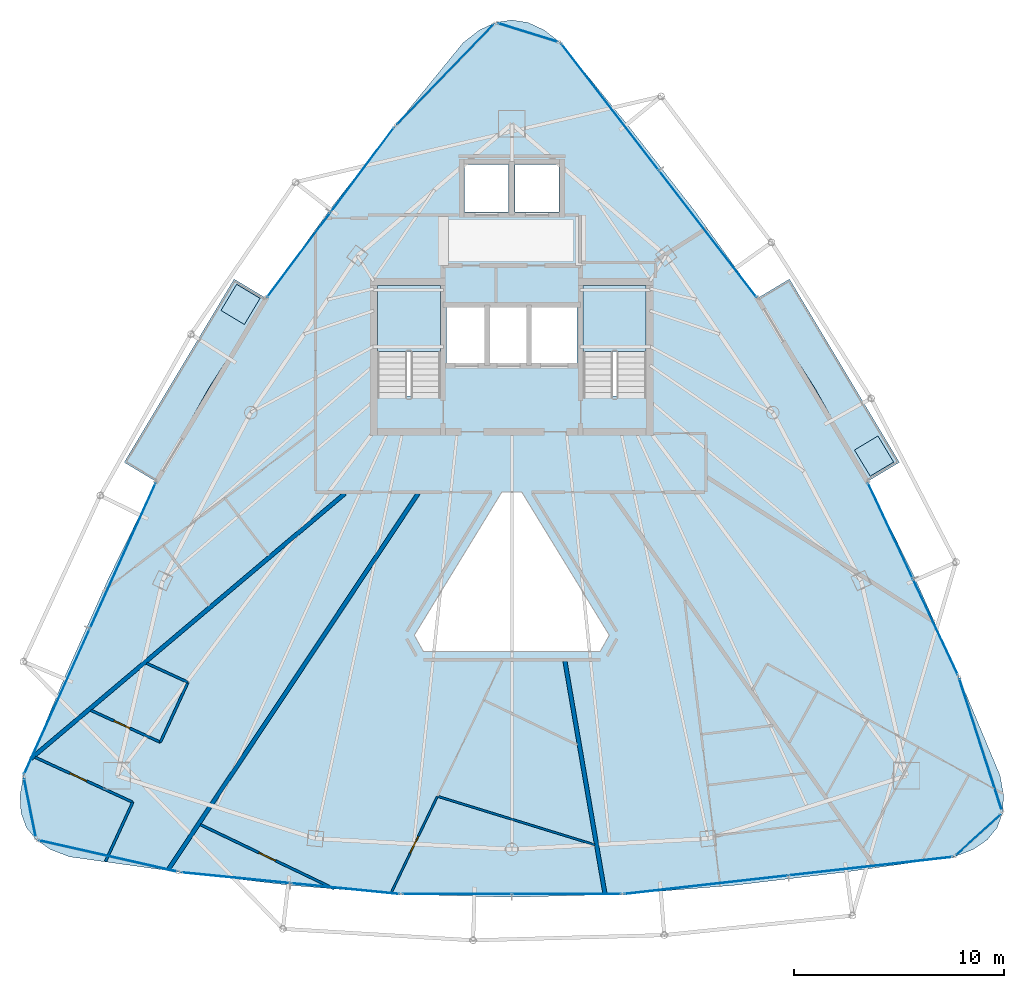
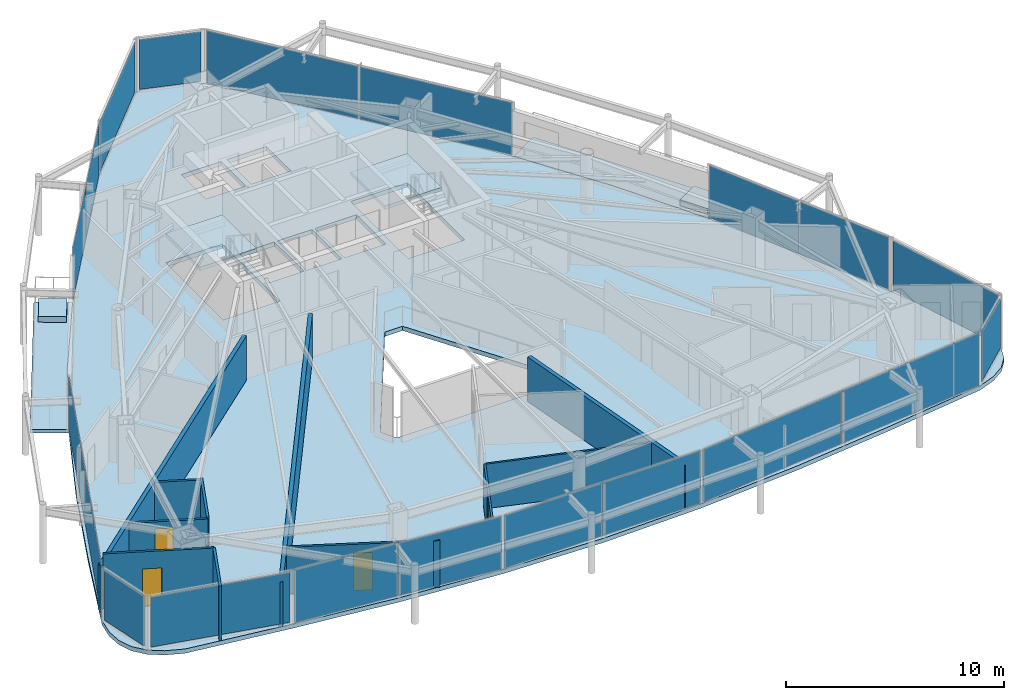
# One storey, part 27 of 33: 20 plates, 11 walls, 7 slabs, 4 doors, 4 openings, 15 elements without a shape of their own.
"""IFC4 building model written with IfcOpenShell, lengths in metres."""

from ifc_helpers import new_model, si_unit, direction, frame, frame_2d, origin, origin_2d, place, context, subcontext, project, spatial, polyline, rectangle, outline, extrude, material, layer, layer_set, type_object, element, fill, aggregate, save


model = new_model("IFC4")

# Units and contexts
model_context = context("Model", 3, precision=1e-05, world=origin(), true_north=direction((0.0, 1.0)))
body_context = subcontext(model_context, "Body", "Model", "MODEL_VIEW")
ifc_project = project(units=[si_unit("LENGTHUNIT", "METRE"), si_unit("AREAUNIT", "SQUARE_METRE"), si_unit("VOLUMEUNIT", "CUBIC_METRE"), si_unit("PLANEANGLEUNIT", "RADIAN"), si_unit("MASSUNIT", "GRAM", prefix="KILO")], contexts=[model_context])

# Site, building, storey
site_placement = place(None, origin())
site = spatial("IfcSite", under=ifc_project, at=site_placement, CompositionType="ELEMENT")
building_placement = place(site_placement, origin())
building = spatial("IfcBuilding", under=site, at=building_placement, Name="Orvanel Arch Residences", CompositionType="ELEMENT")
storey_placement = place(building_placement, frame((0.0, 0.0, 206.300048828125)))
storey = spatial("IfcBuildingStorey", under=building, at=storey_placement, Name="L58", CompositionType="ELEMENT", Elevation=206.300048828125)

# Curtain wall, plates
ifc_material_1 = material(Name="Bronze-anodised aluminium AA6063-T6", Category="aluminium")
ifc_layer_1 = layer(ifc_material_1, 0.175048828125)
ifc_layer_set_1 = layer_set([ifc_layer_1], Name="Bronze-anodised aluminium AA6063-T6")
curtain_wall_type_1 = type_object("IfcCurtainWallType", Name="CW4-HI-SYS", PredefinedType="NOTDEFINED", material=ifc_layer_set_1)
curtain_wall_1_placement = place(storey_placement, origin())
curtain_wall_1 = element("IfcCurtainWall", 1, at=curtain_wall_1_placement, inside=storey, type_object=curtain_wall_type_1, Name="L58 CW4-HI-SYS Unitised Curtain Wall", PredefinedType="NOTDEFINED")
ifc_material_2 = material(Name="Double-glazed solar-control low-E safety glass", Category="glass")
ifc_layer_2 = layer(ifc_material_2, 0.028076171875)
ifc_layer_set_2 = layer_set([ifc_layer_2], Name="Double-glazed solar-control low-E safety glass")
plate_type_1 = type_object("IfcPlateType", Name="PNL-GLZ-28", PredefinedType="CURTAIN_PANEL", material=ifc_layer_set_2)
plate_1_placement = place(storey_placement, frame((25.884033203125, 39.20654296875, 0.06005859375), z_axis=(0.0, 0.0, 1.0), x_axis=(-0.599151723424, -0.800635505282, 0.0)))
plate_1 = element("IfcPlate", 2, at=plate_1_placement, type_object=plate_type_1, Name="CW-S4 panel 1.1", PredefinedType="CURTAIN_PANEL", context=body_context, shape_type="SweptSolid", body=[
    extrude(rectangle(XDim=4.997314453125, YDim=0.028076171875, at=origin_2d()), origin(), (0.0, 0.0, 1.0), 2.93994140625),
])
plate_2_placement = place(storey_placement, frame((22.85107421875, 35.153564453125, 0.06005859375), z_axis=(0.0, 0.0, 1.0), x_axis=(-0.599151723424, -0.800635505282, 0.0)))
plate_2 = element("IfcPlate", 3, at=plate_2_placement, type_object=plate_type_1, Name="CW-S4 panel 2.1", PredefinedType="CURTAIN_PANEL", context=body_context, shape_type="SweptSolid", body=[
    extrude(rectangle(XDim=4.997314453125, YDim=0.028076171875, at=origin_2d()), origin(), (0.0, 0.0, 1.0), 2.93994140625),
])
aggregate(curtain_wall_1, [plate_1, plate_2])

curtain_wall_2_placement = place(storey_placement, origin())
curtain_wall_2 = element("IfcCurtainWall", 4, at=curtain_wall_2_placement, inside=storey, type_object=curtain_wall_type_1, Name="L58 CW4-HI-SYS Unitised Curtain Wall", PredefinedType="NOTDEFINED")
plate_3_placement = place(storey_placement, frame((14.476318359375, 20.833740234375, 0.06005859375), z_axis=(0.0, 0.0, 1.0), x_axis=(-0.411530785971, -0.911395859217, 0.0)))
plate_3 = element("IfcPlate", 5, at=plate_3_placement, type_object=plate_type_1, Name="CW-S4 panel 1.1", PredefinedType="CURTAIN_PANEL", context=body_context, shape_type="SweptSolid", body=[
    extrude(rectangle(XDim=7.566650390625, YDim=0.028076171875, at=origin_2d()), origin(), (0.0, 0.0, 1.0), 2.93994140625),
])
plate_4_placement = place(storey_placement, frame((11.335693359375, 13.87841796875, 0.06005859375), z_axis=(0.0, 0.0, 1.0), x_axis=(-0.411530785971, -0.911395859217, 0.0)))
plate_4 = element("IfcPlate", 6, at=plate_4_placement, type_object=plate_type_1, Name="CW-S4 panel 2.1", PredefinedType="CURTAIN_PANEL", context=body_context, shape_type="SweptSolid", body=[
    extrude(rectangle(XDim=7.566650390625, YDim=0.028076171875, at=origin_2d()), origin(), (0.0, 0.0, 1.0), 2.93994140625),
])
aggregate(curtain_wall_2, [plate_3, plate_4])

curtain_wall_3_placement = place(storey_placement, origin())
curtain_wall_3 = element("IfcCurtainWall", 7, at=curtain_wall_3_placement, inside=storey, type_object=curtain_wall_type_1, Name="L58 CW4-HI-SYS Unitised Curtain Wall", PredefinedType="NOTDEFINED")
plate_5_placement = place(storey_placement, frame((19.858642578125, 5.4873046875, 0.06005859375), z_axis=(0.0, 0.0, 1.0), x_axis=(0.995125054579, -0.098621122229, 0.0)))
plate_5 = element("IfcPlate", 8, at=plate_5_placement, type_object=plate_type_1, Name="CW-S4 panel 1.1", PredefinedType="CURTAIN_PANEL", context=body_context, shape_type="SweptSolid", body=[
    extrude(rectangle(XDim=5.17529296875, YDim=0.028076171875, at=origin_2d()), origin(), (0.0, 0.0, 1.0), 2.93994140625),
])
plate_6_placement = place(storey_placement, frame((25.0732421875, 4.970703125, 0.06005859375), z_axis=(0.0, 0.0, 1.0), x_axis=(0.995125054579, -0.098621122229, 0.0)))
plate_6 = element("IfcPlate", 9, at=plate_6_placement, type_object=plate_type_1, Name="CW-S4 panel 2.1", PredefinedType="CURTAIN_PANEL", context=body_context, shape_type="SweptSolid", body=[
    extrude(rectangle(XDim=5.17529296875, YDim=0.028076171875, at=origin_2d()), origin(), (0.0, 0.0, 1.0), 2.93994140625),
])
aggregate(curtain_wall_3, [plate_5, plate_6])

curtain_wall_4_placement = place(storey_placement, origin())
curtain_wall_4 = element("IfcCurtainWall", 10, at=curtain_wall_4_placement, inside=storey, type_object=curtain_wall_type_1, Name="L58 CW4-HI-SYS Unitised Curtain Wall", PredefinedType="NOTDEFINED")
plate_7_placement = place(storey_placement, frame((30.392822265625, 4.70703125, 0.06005859375), z_axis=(0.0, 0.0, 1.0), x_axis=(1.0, 0.0, 0.0)))
plate_7 = element("IfcPlate", 11, at=plate_7_placement, type_object=plate_type_1, Name="CW-S4 panel 1.1", PredefinedType="CURTAIN_PANEL", context=body_context, shape_type="SweptSolid", body=[
    extrude(rectangle(XDim=5.1494140625, YDim=0.028076171875, at=origin_2d()), origin(), (0.0, 0.0, 1.0), 2.93994140625),
])
plate_8_placement = place(storey_placement, frame((35.607177734375, 4.70703125, 0.06005859375), z_axis=(0.0, 0.0, 1.0), x_axis=(1.0, 0.0, 0.0)))
plate_8 = element("IfcPlate", 12, at=plate_8_placement, type_object=plate_type_1, Name="CW-S4 panel 2.1", PredefinedType="CURTAIN_PANEL", context=body_context, shape_type="SweptSolid", body=[
    extrude(rectangle(XDim=5.1494140625, YDim=0.028076171875, at=origin_2d()), origin(), (0.0, 0.0, 1.0), 2.93994140625),
])
aggregate(curtain_wall_4, [plate_7, plate_8])

curtain_wall_5_placement = place(storey_placement, origin())
curtain_wall_5 = element("IfcCurtainWall", 13, at=curtain_wall_5_placement, inside=storey, type_object=curtain_wall_type_1, Name="L58 CW4-HI-SYS Unitised Curtain Wall", PredefinedType="NOTDEFINED")
plate_9_placement = place(storey_placement, frame((42.243408203125, 5.155029296875, 0.06005859375), z_axis=(0.0, 0.0, 1.0), x_axis=(0.993704057528, 0.11203680669, 0.0)))
plate_9 = element("IfcPlate", 14, at=plate_9_placement, type_object=plate_type_1, Name="CW-S4 panel 1.1", PredefinedType="CURTAIN_PANEL", context=body_context, shape_type="SweptSolid", body=[
    extrude(rectangle(XDim=7.8330078125, YDim=0.028076171875, at=origin_2d()), origin(), (0.0, 0.0, 1.0), 2.93994140625),
])
plate_10_placement = place(storey_placement, frame((50.091552734375, 6.0400390625, 0.06005859375), z_axis=(0.0, 0.0, 1.0), x_axis=(0.993704057528, 0.11203680669, 0.0)))
plate_10 = element("IfcPlate", 15, at=plate_10_placement, type_object=plate_type_1, Name="CW-S4 panel 2.1", PredefinedType="CURTAIN_PANEL", context=body_context, shape_type="SweptSolid", body=[
    extrude(rectangle(XDim=7.8330078125, YDim=0.028076171875, at=origin_2d()), origin(), (0.0, 0.0, 1.0), 2.93994140625),
])
aggregate(curtain_wall_5, [plate_9, plate_10])

curtain_wall_6_placement = place(storey_placement, origin())
curtain_wall_6 = element("IfcCurtainWall", 16, at=curtain_wall_6_placement, inside=storey, type_object=curtain_wall_type_1, Name="L58 CW4-HI-SYS Unitised Curtain Wall", PredefinedType="NOTDEFINED")
plate_11_placement = place(storey_placement, frame((53.176025390625, 17.435546875, 0.06005859375), z_axis=(0.0, 0.0, 1.0), x_axis=(-0.424340844978, 0.905502538529, 0.0)))
plate_11 = element("IfcPlate", 17, at=plate_11_placement, type_object=plate_type_1, Name="CW-S4 panel 1.1", PredefinedType="CURTAIN_PANEL", context=body_context, shape_type="SweptSolid", body=[
    extrude(rectangle(XDim=4.99755859375, YDim=0.028076171875, at=origin_2d()), origin(), (0.0, 0.0, 1.0), 2.93994140625),
])
plate_12_placement = place(storey_placement, frame((51.02783203125, 22.01953125, 0.06005859375), z_axis=(0.0, 0.0, 1.0), x_axis=(-0.424340844978, 0.905502538529, 0.0)))
plate_12 = element("IfcPlate", 18, at=plate_12_placement, type_object=plate_type_1, Name="CW-S4 panel 2.1", PredefinedType="CURTAIN_PANEL", context=body_context, shape_type="SweptSolid", body=[
    extrude(rectangle(XDim=4.99755859375, YDim=0.028076171875, at=origin_2d()), origin(), (0.0, 0.0, 1.0), 2.93994140625),
])
aggregate(curtain_wall_6, [plate_11, plate_12])

curtain_wall_7_placement = place(storey_placement, origin())
curtain_wall_7 = element("IfcCurtainWall", 19, at=curtain_wall_7_placement, inside=storey, type_object=curtain_wall_type_1, Name="L58 CW4-HI-SYS Unitised Curtain Wall", PredefinedType="NOTDEFINED")
plate_13_placement = place(storey_placement, frame((42.33642578125, 36.1494140625, 0.06005859375), z_axis=(0.0, 0.0, 1.0), x_axis=(-0.61032539084, 0.792150817266, 0.0)))
plate_13 = element("IfcPlate", 20, at=plate_13_placement, type_object=plate_type_1, Name="CW-S4 panel 1.1", PredefinedType="CURTAIN_PANEL", context=body_context, shape_type="SweptSolid", body=[
    extrude(rectangle(XDim=7.56640625, YDim=0.028076171875, at=origin_2d()), origin(), (0.0, 0.0, 1.0), 2.93994140625),
])
plate_14_placement = place(storey_placement, frame((37.6787109375, 42.194580078125, 0.06005859375), z_axis=(0.0, 0.0, 1.0), x_axis=(-0.61032539084, 0.792150817266, 0.0)))
plate_14 = element("IfcPlate", 21, at=plate_14_placement, type_object=plate_type_1, Name="CW-S4 panel 2.1", PredefinedType="CURTAIN_PANEL", context=body_context, shape_type="SweptSolid", body=[
    extrude(rectangle(XDim=7.56640625, YDim=0.028076171875, at=origin_2d()), origin(), (0.0, 0.0, 1.0), 2.93994140625),
])
aggregate(curtain_wall_7, [plate_13, plate_14])

# Curtain wall, plate
ifc_layer_3 = layer(ifc_material_1, 0.18994140625)
ifc_layer_set_3 = layer_set([ifc_layer_3], Name="Bronze-anodised aluminium AA6063-T6")
curtain_wall_type_2 = type_object("IfcCurtainWallType", Name="CW5-CRN-SYS", PredefinedType="NOTDEFINED", material=ifc_layer_set_3)
curtain_wall_8_placement = place(storey_placement, origin())
curtain_wall_8 = element("IfcCurtainWall", 22, at=curtain_wall_8_placement, inside=storey, type_object=curtain_wall_type_2, Name="L58 CW5-CRN-SYS Unitised Curtain Wall", PredefinedType="NOTDEFINED")
ifc_layer_4 = layer(ifc_material_2, 0.031982421875)
ifc_layer_set_4 = layer_set([ifc_layer_4], Name="Double-glazed solar-control low-E safety glass")
plate_type_2 = type_object("IfcPlateType", Name="PNL-GLZ-32", PredefinedType="CURTAIN_PANEL", material=ifc_layer_set_4)
plate_15_placement = place(storey_placement, frame((33.7724609375, 45.739990234375, 0.1298828125), z_axis=(0.0, 0.0, 1.0), x_axis=(-0.954841003461, 0.297117246401, 0.0)))
plate_15 = element("IfcPlate", 23, at=plate_15_placement, type_object=plate_type_2, Name="CW-S5 panel 1.1", PredefinedType="CURTAIN_PANEL", context=body_context, shape_type="SweptSolid", body=[
    extrude(rectangle(XDim=2.8974609375, YDim=0.031982421875, at=origin_2d()), origin(), (0.0, 0.0, 1.0), 2.800048828125),
])
aggregate(curtain_wall_8, [plate_15])

curtain_wall_9_placement = place(storey_placement, origin())
curtain_wall_9 = element("IfcCurtainWall", 24, at=curtain_wall_9_placement, inside=storey, type_object=curtain_wall_type_2, Name="L58 CW5-CRN-SYS Unitised Curtain Wall", PredefinedType="NOTDEFINED")
plate_16_placement = place(storey_placement, frame((29.82958984375, 43.748046875, 0.1298828125), z_axis=(0.0, 0.0, 1.0), x_axis=(-0.695997606834, -0.718044101209, 0.0)))
plate_16 = element("IfcPlate", 25, at=plate_16_placement, type_object=plate_type_2, Name="CW-S5 panel 1.1", PredefinedType="CURTAIN_PANEL", context=body_context, shape_type="SweptSolid", body=[
    extrude(rectangle(XDim=6.549072265625, YDim=0.031982421875, at=origin_2d()), origin(), (0.0, 0.0, 1.0), 2.800048828125),
])
aggregate(curtain_wall_9, [plate_16])

curtain_wall_10_placement = place(storey_placement, origin())
curtain_wall_10 = element("IfcCurtainWall", 26, at=curtain_wall_10_placement, inside=storey, type_object=curtain_wall_type_2, Name="L58 CW5-CRN-SYS Unitised Curtain Wall", PredefinedType="NOTDEFINED")
plate_17_placement = place(storey_placement, frame((10.048583984375, 8.824462890625, 0.1298828125), z_axis=(0.0, 0.0, 1.0), x_axis=(0.195365920622, -0.980730420176, 0.0)))
plate_17 = element("IfcPlate", 27, at=plate_17_placement, type_object=plate_type_2, Name="CW-S5 panel 1.1", PredefinedType="CURTAIN_PANEL", context=body_context, shape_type="SweptSolid", body=[
    extrude(rectangle(XDim=2.7763671875, YDim=0.031982421875, at=origin_2d()), origin(), (0.0, 0.0, 1.0), 2.800048828125),
])
aggregate(curtain_wall_10, [plate_17])

curtain_wall_11_placement = place(storey_placement, origin())
curtain_wall_11 = element("IfcCurtainWall", 28, at=curtain_wall_11_placement, inside=storey, type_object=curtain_wall_type_2, Name="L58 CW5-CRN-SYS Unitised Curtain Wall", PredefinedType="NOTDEFINED")
plate_18_placement = place(storey_placement, frame((13.77587890625, 6.5234375, 0.1298828125), z_axis=(0.0, 0.0, 1.0), x_axis=(0.975436035284, -0.220282866037, 0.0)))
plate_18 = element("IfcPlate", 29, at=plate_18_placement, type_object=plate_type_2, Name="CW-S5 panel 1.1", PredefinedType="CURTAIN_PANEL", context=body_context, shape_type="SweptSolid", body=[
    extrude(rectangle(XDim=6.677490234375, YDim=0.031982421875, at=origin_2d()), origin(), (0.0, 0.0, 1.0), 2.800048828125),
])
aggregate(curtain_wall_11, [plate_18])

curtain_wall_12_placement = place(storey_placement, origin())
curtain_wall_12 = element("IfcCurtainWall", 30, at=curtain_wall_12_placement, inside=storey, type_object=curtain_wall_type_2, Name="L58 CW5-CRN-SYS Unitised Curtain Wall", PredefinedType="NOTDEFINED")
plate_19_placement = place(storey_placement, frame((55.221923828125, 7.535888671875, 0.1298828125), z_axis=(0.0, 0.0, 1.0), x_axis=(0.740087062323, 0.672511070676, 0.0)))
plate_19 = element("IfcPlate", 31, at=plate_19_placement, type_object=plate_type_2, Name="CW-S5 panel 1.1", PredefinedType="CURTAIN_PANEL", context=body_context, shape_type="SweptSolid", body=[
    extrude(rectangle(XDim=2.778076171875, YDim=0.031982421875, at=origin_2d()), origin(), (0.0, 0.0, 1.0), 2.800048828125),
])
aggregate(curtain_wall_12, [plate_19])

curtain_wall_13_placement = place(storey_placement, origin())
curtain_wall_13 = element("IfcCurtainWall", 32, at=curtain_wall_13_placement, inside=storey, type_object=curtain_wall_type_2, Name="L58 CW5-CRN-SYS Unitised Curtain Wall", PredefinedType="NOTDEFINED")
plate_20_placement = place(storey_placement, frame((55.323974609375, 11.840087890625, 0.1298828125), z_axis=(0.0, 0.0, 1.0), x_axis=(-0.307483718239, 0.951553342182, 0.0)))
plate_20 = element("IfcPlate", 33, at=plate_20_placement, type_object=plate_type_2, Name="CW-S5 panel 1.1", PredefinedType="CURTAIN_PANEL", context=body_context, shape_type="SweptSolid", body=[
    extrude(rectangle(XDim=6.503662109375, YDim=0.031982421875, at=origin_2d()), origin(), (0.0, 0.0, 1.0), 2.800048828125),
])
aggregate(curtain_wall_13, [plate_20])

# Slabs
ifc_material_3 = material(Name="Concrete N40 (40 MPa)", Category="concrete")
ifc_layer_5 = layer(ifc_material_3, 0.199951171875)
ifc_layer_set_5 = layer_set([ifc_layer_5], Name="Concrete N40 (40 MPa)")
slab_type_1 = type_object("IfcSlabType", Name="SLB-BAL-200", PredefinedType="FLOOR", material=ifc_layer_set_5)
slab_1_placement = place(storey_placement, frame((0.0, 0.0, -0.199951171875)))
element("IfcSlab", 34, at=slab_1_placement, inside=storey, type_object=slab_type_1, Name="L58 Cantilevered Balcony Slab Face 3", PredefinedType="FLOOR", context=body_context, shape_type="SweptSolid", body=[
    extrude(outline(polyline([(51.4580078125, 25.27392578125), (46.22412109375, 34.0009765625), (44.697021484375, 33.0849609375), (47.43994140625, 28.797119140625), (49.931884765625, 24.35888671875), (51.4580078125, 25.27392578125)])), origin(), (0.0, 0.0, 1.0), 0.199951171875),
])
slab_2_placement = place(storey_placement, frame((0.0, 0.0, -0.199951171875)))
element("IfcSlab", 35, at=slab_2_placement, inside=storey, type_object=slab_type_1, Name="L58 Cantilevered Balcony Slab Face 1", PredefinedType="FLOOR", context=body_context, shape_type="SweptSolid", body=[
    extrude(outline(polyline([(19.77587890625, 34.0009765625), (14.5419921875, 25.27392578125), (16.068115234375, 24.35888671875), (18.56005859375, 28.797119140625), (21.302978515625, 33.0849609375), (19.77587890625, 34.0009765625)])), origin(), (0.0, 0.0, 1.0), 0.199951171875),
])

# Stair, slab
ifc_material_4 = material(Name="Precast concrete N50 (50 MPa)", Category="concrete")
stair_type = type_object("IfcStairType", Name="STR-DOG-184", PredefinedType="USERDEFINED", material=ifc_material_4)
stair_1_placement = place(storey_placement, origin())
stair_1 = element("IfcStair", 36, at=stair_1_placement, inside=storey, type_object=stair_type, Name="L58 Fire-Isolated Core Exit Stair 1", ObjectType="TWO_RETURN_STAIR", PredefinedType="USERDEFINED")
ifc_layer_6 = layer(ifc_material_3, 0.199951171875)
ifc_layer_set_6 = layer_set([ifc_layer_6], Name="Concrete N40 (40 MPa)")
slab_type_2 = type_object("IfcSlabType", Name="SLB-LND-200", PredefinedType="LANDING", material=ifc_layer_set_6)
slab_3_placement = place(storey_placement, frame((0.0, 0.0, 1.449951171875)))
slab_3 = element("IfcSlab", 37, at=slab_3_placement, type_object=slab_type_2, Name="ST-1 landing 1", PredefinedType="LANDING", context=body_context, shape_type="SweptSolid", body=[
    extrude(outline(polyline([(29.60009765625, 30.56005859375), (29.60009765625, 33.699951171875), (26.60009765625, 33.699951171875), (26.60009765625, 30.56005859375), (29.60009765625, 30.56005859375)])), origin(), (0.0, 0.0, 1.0), 0.199951171875),
])
aggregate(stair_1, [slab_3])

stair_2_placement = place(storey_placement, origin())
stair_2 = element("IfcStair", 38, at=stair_2_placement, inside=storey, type_object=stair_type, Name="L58 Fire-Isolated Core Exit Stair 2", ObjectType="TWO_RETURN_STAIR", PredefinedType="USERDEFINED")
slab_4_placement = place(storey_placement, frame((0.0, 0.0, 1.449951171875)))
slab_4 = element("IfcSlab", 39, at=slab_4_placement, type_object=slab_type_2, Name="ST-2 landing 1", PredefinedType="LANDING", context=body_context, shape_type="SweptSolid", body=[
    extrude(outline(polyline([(39.39990234375, 30.56005859375), (39.39990234375, 33.699951171875), (36.39990234375, 33.699951171875), (36.39990234375, 30.56005859375), (39.39990234375, 30.56005859375)])), origin(), (0.0, 0.0, 1.0), 0.199951171875),
])
aggregate(stair_2, [slab_4])

# Slabs
ifc_material_5 = material(Name="Structural architectural precast concrete N40 (40 MPa) planter", Category="concrete")
ifc_layer_7 = layer(ifc_material_5, 0.320068359375)
ifc_layer_set_7 = layer_set([ifc_layer_7], Name="Structural architectural precast concrete N40 (40 MPa) planter")
slab_type_3 = type_object("IfcSlabType", Name="SLB-PLN-320", PredefinedType="USERDEFINED", material=ifc_layer_set_7)
slab_5_placement = place(storey_placement, origin())
element("IfcSlab", 40, at=slab_5_placement, inside=storey, type_object=slab_type_3, Name="L58 Balcony TREE PLANTER Face 3", ObjectType="PLANTER", PredefinedType="USERDEFINED", context=body_context, shape_type="SweptSolid", body=[
    extrude(outline(polyline([(51.18408203125, 25.284912109375), (50.43798828125, 26.528076171875), (49.322998046875, 25.85888671875), (50.069091796875, 24.615966796875), (51.18408203125, 25.284912109375)])), origin(), (0.0, 0.0, 1.0), 0.320068359375),
])
slab_6_placement = place(storey_placement, origin())
element("IfcSlab", 41, at=slab_6_placement, inside=storey, type_object=slab_type_3, Name="L58 Balcony TREE PLANTER Face 1", ObjectType="PLANTER", PredefinedType="USERDEFINED", context=body_context, shape_type="SweptSolid", body=[
    extrude(outline(polyline([(19.89599609375, 33.75390625), (19.15087890625, 32.510009765625), (20.264892578125, 31.842041015625), (21.010986328125, 33.0849609375), (19.89599609375, 33.75390625)])), origin(), (0.0, 0.0, 1.0), 0.320068359375),
])
ifc_layer_8 = layer(ifc_material_3, 0.239990234375)
ifc_layer_set_8 = layer_set([ifc_layer_8], Name="Concrete N40 (40 MPa)")
slab_type_4 = type_object("IfcSlabType", Name="SLB-TYP-240", PredefinedType="FLOOR", material=ifc_layer_set_8)
slab_7_placement = place(storey_placement, frame((0.0, 0.0, -0.239990234375)))
element("IfcSlab", 42, at=slab_7_placement, inside=storey, type_object=slab_type_4, Name="L58 Tower Floor Slab", PredefinedType="FLOOR", context=body_context, shape_type="SweptSolid", body=[
    extrude(outline(polyline([(35.318115234375, 45.259033203125), (34.544921875, 45.860107421875), (33.77294921875, 46.220947265625), (33.0, 46.341064453125), (32.22705078125, 46.220947265625), (31.455078125, 45.860107421875), (30.681884765625, 45.259033203125), (27.431884765625, 41.27490234375), (24.278076171875, 37.23291015625), (21.302978515625, 33.0849609375), (18.56005859375, 28.797119140625), (16.068115234375, 24.35888671875), (13.80908203125, 19.780029296875), (11.72802734375, 15.095947265625), (9.743896484375, 10.35302734375), (9.577880859375, 9.407958984375), (9.6240234375, 8.583984375), (9.882080078125, 7.8798828125), (10.35302734375, 7.2958984375), (11.037109375, 6.83203125), (11.931884765625, 6.488037109375), (17.198974609375, 5.7509765625), (22.466064453125, 5.125), (27.73291015625, 4.70703125), (33.0, 4.56103515625), (38.26708984375, 4.70703125), (43.533935546875, 5.125), (48.801025390625, 5.7509765625), (54.068115234375, 6.488037109375), (54.964111328125, 6.83203125), (55.64697265625, 7.2958984375), (56.117919921875, 7.8798828125), (56.3759765625, 8.583984375), (56.422119140625, 9.407958984375), (56.256103515625, 10.35302734375), (54.27197265625, 15.095947265625), (52.19091796875, 19.780029296875), (49.931884765625, 24.35888671875), (47.43994140625, 28.797119140625), (44.697021484375, 33.0849609375), (41.721923828125, 37.23291015625), (38.568115234375, 41.27490234375), (35.318115234375, 45.259033203125)]), holes=[polyline([(26.60009765625, 28.429931640625), (26.60009765625, 33.699951171875), (29.60009765625, 33.699951171875), (29.60009765625, 28.429931640625), (26.60009765625, 28.429931640625)]), polyline([(36.39990234375, 28.429931640625), (36.39990234375, 33.699951171875), (39.39990234375, 33.699951171875), (39.39990234375, 28.429931640625), (36.39990234375, 28.429931640625)]), polyline([(29.89990234375, 32.64990234375), (31.75, 32.64990234375), (31.75, 29.949951171875), (29.89990234375, 29.949951171875), (29.89990234375, 32.64990234375)]), polyline([(31.89990234375, 32.64990234375), (33.75, 32.64990234375), (33.75, 29.949951171875), (31.89990234375, 29.949951171875), (31.89990234375, 32.64990234375)]), polyline([(33.89990234375, 32.64990234375), (36.10009765625, 32.64990234375), (36.10009765625, 29.949951171875), (33.89990234375, 29.949951171875), (33.89990234375, 32.64990234375)]), polyline([(30.75, 39.449951171875), (32.85009765625, 39.449951171875), (32.85009765625, 37.199951171875), (30.75, 37.199951171875), (30.75, 39.449951171875)]), polyline([(33.14990234375, 39.449951171875), (35.25, 39.449951171875), (35.25, 37.199951171875), (33.14990234375, 37.199951171875), (33.14990234375, 39.449951171875)]), polyline([(37.64404296875, 17.0400390625), (37.212890625, 16.27001953125), (28.787109375, 16.27001953125), (28.35595703125, 17.0400390625), (32.529052734375, 23.867919921875), (33.470947265625, 23.867919921875), (37.64404296875, 17.0400390625)])]), origin(), (0.0, 0.0, 1.0), 0.239990234375),
])

# Walls
ifc_material_6 = material(Name="Fire-rated plasterboard lined steel stud partition", Category="steel")
ifc_layer_9 = layer(ifc_material_6, 0.199951171875)
ifc_layer_set_9 = layer_set([ifc_layer_9], Name="Fire-rated plasterboard lined steel stud partition")
wall_type_1 = type_object("IfcWallType", Name="W-DEM-200", PredefinedType="PARTITIONING", material=ifc_layer_set_9)
wall_1_placement = place(storey_placement, frame((35.530029296875, 15.81005859375, 0.0), z_axis=(0.0, 0.0, 1.0), x_axis=(0.169681394536, -0.985498972272, 0.0)))
element("IfcWall", 43, at=wall_1_placement, inside=storey, type_object=wall_type_1, Name="L58 Inter-Tenancy Acoustic Demising Wall", PredefinedType="PARTITIONING", context=body_context, shape_type="SweptSolid", body=[
    extrude(rectangle(XDim=11.274658203125, YDim=0.199951171875, at=frame_2d((5.63720703125, 0.0))), origin(), (0.0, 0.0, 1.0), 2.491943359375),
])
wall_2_placement = place(storey_placement, frame((16.617919921875, 5.845947265625, 0.0), z_axis=(0.0, 0.0, 1.0), x_axis=(0.553425992232, 0.832898355817, 0.0)))
element("IfcWall", 44, at=wall_2_placement, inside=storey, type_object=wall_type_1, Name="L58 Inter-Tenancy Acoustic Demising Wall", PredefinedType="PARTITIONING", context=body_context, shape_type="SweptSolid", body=[
    extrude(rectangle(XDim=21.544189453125, YDim=0.199951171875, at=frame_2d((10.77197265625, 0.0))), origin(), (0.0, 0.0, 1.0), 2.491943359375),
])
wall_3_placement = place(storey_placement, frame((10.0869140625, 11.156005859375, 0.0), z_axis=(0.0, 0.0, 1.0), x_axis=(0.76410924632, 0.645086862127, 0.0)))
element("IfcWall", 45, at=wall_3_placement, inside=storey, type_object=wall_type_1, Name="L58 Inter-Tenancy Acoustic Demising Wall", PredefinedType="PARTITIONING", context=body_context, shape_type="SweptSolid", body=[
    extrude(rectangle(XDim=19.5849609375, YDim=0.199951171875, at=frame_2d((9.79248046875, 0.0))), origin(), (0.0, 0.0, 1.0), 2.491943359375),
])

# Wall, opening, door
ifc_material_7 = material(Name="Acoustic plasterboard lined twin-stud partition", Category="gypsum")
ifc_layer_10 = layer(ifc_material_7, 0.10009765625)
ifc_layer_set_10 = layer_set([ifc_layer_10], Name="Acoustic plasterboard lined twin-stud partition")
wall_type_2 = type_object("IfcWallType", Name="W-INT-100", PredefinedType="PARTITIONING", material=ifc_layer_set_10)
wall_4_placement = place(storey_placement, frame((29.458984375, 9.3701171875, 0.0), z_axis=(0.0, 0.0, 1.0), x_axis=(-0.43211613455, -0.901817967364, 0.0)))
wall_4 = element("IfcWall", 46, at=wall_4_placement, inside=storey, type_object=wall_type_2, Name="L58 Flat A Internal Partition", PredefinedType="PARTITIONING", context=body_context, shape_type="SweptSolid", body=[
    extrude(rectangle(XDim=5.112060546875, YDim=0.10009765625, at=frame_2d((2.55615234375, 0.0))), origin(), (0.0, 0.0, 1.0), 2.491943359375),
])
opening_1_placement = place(wall_4_placement, frame((2.115966796875, 0.0, 0.0)))
opening_1 = element("IfcOpeningElement", 47, at=opening_1_placement, cuts=wall_4, Name="Opening DI-088", PredefinedType="OPENING", context=body_context, shape_type="SweptSolid", body=[
    extrude(rectangle(XDim=0.8798828125, YDim=2.10009765625, at=frame_2d((0.43994140625, 1.050048828125))), frame((0.0, 0.06005859375, 0.0), z_axis=(0.0, -1.0, 0.0), x_axis=(1.0, 0.0, 0.0)), (0.0, 0.0, 1.0), 0.1201171875),
])
ifc_material_8 = material(Name="Solid-core European oak veneer fire door leaf", Category="wood")
door_type_1 = type_object("IfcDoorType", Name="DR-INT-880", OperationType="NOTDEFINED", PredefinedType="DOOR", material=ifc_material_8)
door_1_placement = place(opening_1_placement, origin())
door_1 = element("IfcDoor", 48, at=door_1_placement, inside=storey, type_object=door_type_1, Name="DR-L58-A-BED1 L58 Flat A Bedroom 1 Door", OperationType="SINGLE_SWING_LEFT", OverallHeight=2.10009765625, OverallWidth=0.8798828125, PredefinedType="DOOR", context=body_context, shape_type="SweptSolid", body=[
    extrude(rectangle(XDim=0.8798828125, YDim=2.10009765625, at=frame_2d((0.43994140625, 1.050048828125))), frame((0.0, 0.02490234375, 0.0), z_axis=(0.0, -1.0, 0.0), x_axis=(1.0, 0.0, 0.0)), (0.0, 0.0, 1.0), 0.050048828125),
])
fill(opening_1, door_1)

# Wall
wall_5_placement = place(storey_placement, frame((29.458984375, 9.3701171875, 0.0), z_axis=(0.0, 0.0, 1.0), x_axis=(0.955559226726, -0.294799193044, 0.0)))
element("IfcWall", 49, at=wall_5_placement, inside=storey, type_object=wall_type_2, Name="L58 Flat A Internal Partition", PredefinedType="PARTITIONING", context=body_context, shape_type="SweptSolid", body=[
    extrude(rectangle(XDim=7.83935546875, YDim=0.10009765625, at=frame_2d((3.919677734375, 0.0))), origin(), (0.0, 0.0, 1.0), 2.491943359375),
])

# Wall, opening, door
ifc_layer_11 = layer(ifc_material_7, 0.1201171875)
ifc_layer_set_11 = layer_set([ifc_layer_11], Name="Acoustic plasterboard lined twin-stud partition")
wall_type_3 = type_object("IfcWallType", Name="W-WET-120", PredefinedType="PARTITIONING", material=ifc_layer_set_11)
wall_6_placement = place(storey_placement, frame((24.535888671875, 4.966064453125, 0.0), z_axis=(0.0, 0.0, 1.0), x_axis=(-0.901746721557, 0.432264791721, 0.0)))
wall_6 = element("IfcWall", 50, at=wall_6_placement, inside=storey, type_object=wall_type_3, Name="L58 Flat A Internal Partition", PredefinedType="PARTITIONING", context=body_context, shape_type="SweptSolid", body=[
    extrude(rectangle(XDim=7.06494140625, YDim=0.1201171875, at=frame_2d((3.532470703125, 0.0))), origin(), (0.0, 0.0, 1.0), 2.618896484375),
])
opening_2_placement = place(wall_6_placement, frame((3.093017578125, 0.0, 0.0)))
opening_2 = element("IfcOpeningElement", 51, at=opening_2_placement, cuts=wall_6, Name="Opening DI-088", PredefinedType="OPENING", context=body_context, shape_type="SweptSolid", body=[
    extrude(rectangle(XDim=0.8798828125, YDim=2.10009765625, at=frame_2d((0.43994140625, 1.050048828125))), frame((0.0, 0.070068359375, 0.0), z_axis=(0.0, -1.0, 0.0), x_axis=(1.0, 0.0, 0.0)), (0.0, 0.0, 1.0), 0.14013671875),
])
door_2_placement = place(opening_2_placement, origin())
door_2 = element("IfcDoor", 52, at=door_2_placement, inside=storey, type_object=door_type_1, Name="DR-L58-A-KIT L58 Flat A Kitchen Door", OperationType="SINGLE_SWING_LEFT", OverallHeight=2.10009765625, OverallWidth=0.8798828125, PredefinedType="DOOR", context=body_context, shape_type="SweptSolid", body=[
    extrude(rectangle(XDim=0.8798828125, YDim=2.10009765625, at=frame_2d((0.43994140625, 1.050048828125))), frame((0.0, 0.02490234375, 0.0), z_axis=(0.0, -1.0, 0.0), x_axis=(1.0, 0.0, 0.0)), (0.0, 0.0, 1.0), 0.050048828125),
])
fill(opening_2, door_2)

wall_7_placement = place(storey_placement, frame((12.9541015625, 13.465087890625, 0.0), z_axis=(0.0, 0.0, 1.0), x_axis=(0.908453283004, -0.41798640241, 0.0)))
wall_7 = element("IfcWall", 53, at=wall_7_placement, inside=storey, type_object=wall_type_3, Name="L58 Studio D Bathroom Partition", PredefinedType="PARTITIONING", context=body_context, shape_type="SweptSolid", body=[
    extrude(rectangle(XDim=3.64111328125, YDim=0.1201171875, at=frame_2d((1.820556640625, 0.0))), origin(), (0.0, 0.0, 1.0), 2.491943359375),
])
opening_3_placement = place(wall_7_placement, frame((1.2119140625, 0.0, 0.0)))
opening_3 = element("IfcOpeningElement", 54, at=opening_3_placement, cuts=wall_7, Name="Opening DW-082", PredefinedType="OPENING", context=body_context, shape_type="SweptSolid", body=[
    extrude(rectangle(XDim=0.820068359375, YDim=2.10009765625, at=frame_2d((0.41015625, 1.050048828125))), frame((0.0, 0.070068359375, 0.0), z_axis=(0.0, -1.0, 0.0), x_axis=(1.0, 0.0, 0.0)), (0.0, 0.0, 1.0), 0.14013671875),
])
door_type_2 = type_object("IfcDoorType", Name="DR-WET-820", OperationType="NOTDEFINED", PredefinedType="DOOR", material=ifc_material_8)
door_3_placement = place(opening_3_placement, origin())
door_3 = element("IfcDoor", 55, at=door_3_placement, inside=storey, type_object=door_type_2, Name="DR-L58-D-BATH L58 Studio D Bathroom Door", OperationType="SINGLE_SWING_RIGHT", OverallHeight=2.10009765625, OverallWidth=0.820068359375, PredefinedType="DOOR", context=body_context, shape_type="SweptSolid", body=[
    extrude(rectangle(XDim=0.820068359375, YDim=2.10009765625, at=frame_2d((0.41015625, 1.050048828125))), frame((0.0, 0.02490234375, 0.0), z_axis=(0.0, -1.0, 0.0), x_axis=(1.0, 0.0, 0.0)), (0.0, 0.0, 1.0), 0.050048828125),
])
fill(opening_3, door_3)

# Walls
wall_8_placement = place(storey_placement, frame((16.261962890625, 11.943115234375, 0.0), z_axis=(0.0, 0.0, 1.0), x_axis=(0.417964576431, 0.908463324988, 0.0)))
element("IfcWall", 56, at=wall_8_placement, inside=storey, type_object=wall_type_3, Name="L58 Studio D Bathroom Partition", PredefinedType="PARTITIONING", context=body_context, shape_type="SweptSolid", body=[
    extrude(rectangle(XDim=3.143798828125, YDim=0.1201171875, at=frame_2d((1.57177734375, 0.0))), origin(), (0.0, 0.0, 1.0), 2.56494140625),
])
wall_9_placement = place(storey_placement, frame((17.575927734375, 14.799072265625, 0.0), z_axis=(0.0, 0.0, 1.0), x_axis=(-0.908443405033, 0.418007870562, 0.0)))
element("IfcWall", 57, at=wall_9_placement, inside=storey, type_object=wall_type_3, Name="L58 Studio D Bathroom Partition", PredefinedType="PARTITIONING", context=body_context, shape_type="SweptSolid", body=[
    extrude(rectangle(XDim=2.16748046875, YDim=0.1201171875, at=frame_2d((1.083740234375, 0.0))), origin(), (0.0, 0.0, 1.0), 2.491943359375),
])
wall_10_placement = place(storey_placement, frame((13.64794921875, 6.261962890625, 0.0), z_axis=(0.0, 0.0, 1.0), x_axis=(0.418057228076, 0.90842069222, 0.0)))
element("IfcWall", 58, at=wall_10_placement, inside=storey, type_object=wall_type_3, Name="L58 Studio D Internal Partition", PredefinedType="PARTITIONING", context=body_context, shape_type="SweptSolid", body=[
    extrude(rectangle(XDim=3.109619140625, YDim=0.1201171875, at=frame_2d((1.5546875, 0.0))), origin(), (0.0, 0.0, 1.0), 3.06005859375),
])

# Wall, opening, door
wall_11_placement = place(storey_placement, frame((14.947998046875, 9.0869140625, 0.0), z_axis=(0.0, 0.0, 1.0), x_axis=(-0.908447683715, 0.417998571712, 0.0)))
wall_11 = element("IfcWall", 59, at=wall_11_placement, inside=storey, type_object=wall_type_3, Name="L58 Studio D Internal Partition", PredefinedType="PARTITIONING", context=body_context, shape_type="SweptSolid", body=[
    extrude(rectangle(XDim=5.115234375, YDim=0.1201171875, at=frame_2d((2.5576171875, 0.0))), origin(), (0.0, 0.0, 1.0), 3.06005859375),
])
opening_4_placement = place(wall_11_placement, frame((2.4169921875, 0.0, 0.0)))
opening_4 = element("IfcOpeningElement", 60, at=opening_4_placement, cuts=wall_11, Name="Opening DI-088", PredefinedType="OPENING", context=body_context, shape_type="SweptSolid", body=[
    extrude(rectangle(XDim=0.8798828125, YDim=2.10009765625, at=frame_2d((0.43994140625, 1.050048828125))), frame((0.0, 0.070068359375, 0.0), z_axis=(0.0, -1.0, 0.0), x_axis=(1.0, 0.0, 0.0)), (0.0, 0.0, 1.0), 0.14013671875),
])
door_4_placement = place(opening_4_placement, origin())
door_4 = element("IfcDoor", 61, at=door_4_placement, inside=storey, type_object=door_type_1, Name="DR-L58-D-KIT L58 Studio D Kitchenette Door", OperationType="SINGLE_SWING_LEFT", OverallHeight=2.10009765625, OverallWidth=0.8798828125, PredefinedType="DOOR", context=body_context, shape_type="SweptSolid", body=[
    extrude(rectangle(XDim=0.8798828125, YDim=2.10009765625, at=frame_2d((0.43994140625, 1.050048828125))), frame((0.0, 0.02490234375, 0.0), z_axis=(0.0, -1.0, 0.0), x_axis=(1.0, 0.0, 0.0)), (0.0, 0.0, 1.0), 0.050048828125),
])
fill(opening_4, door_4)

save(model, "model.ifc")
